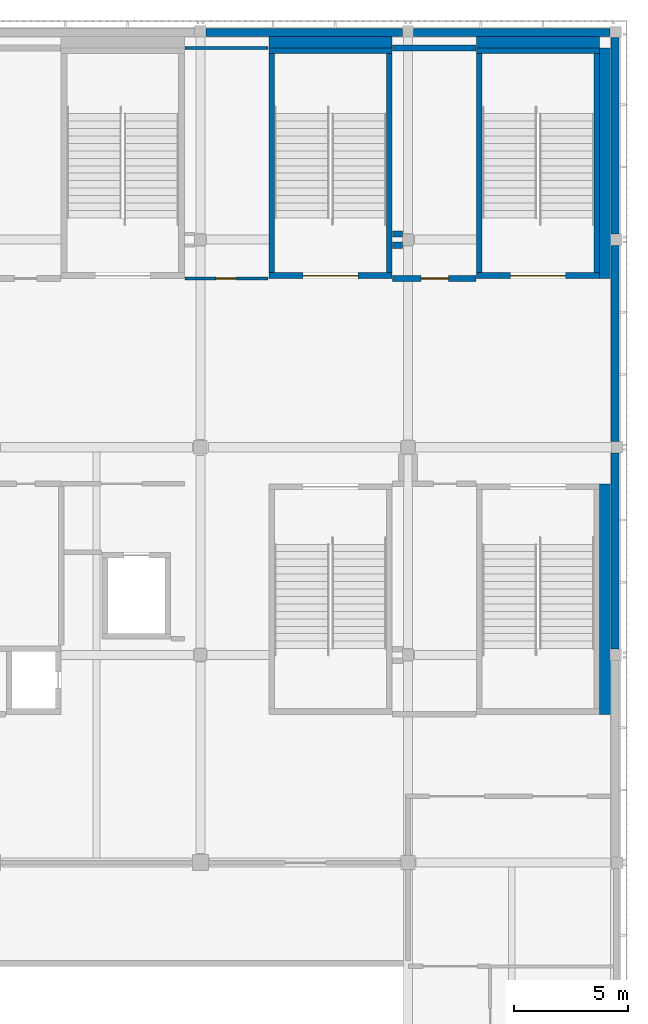
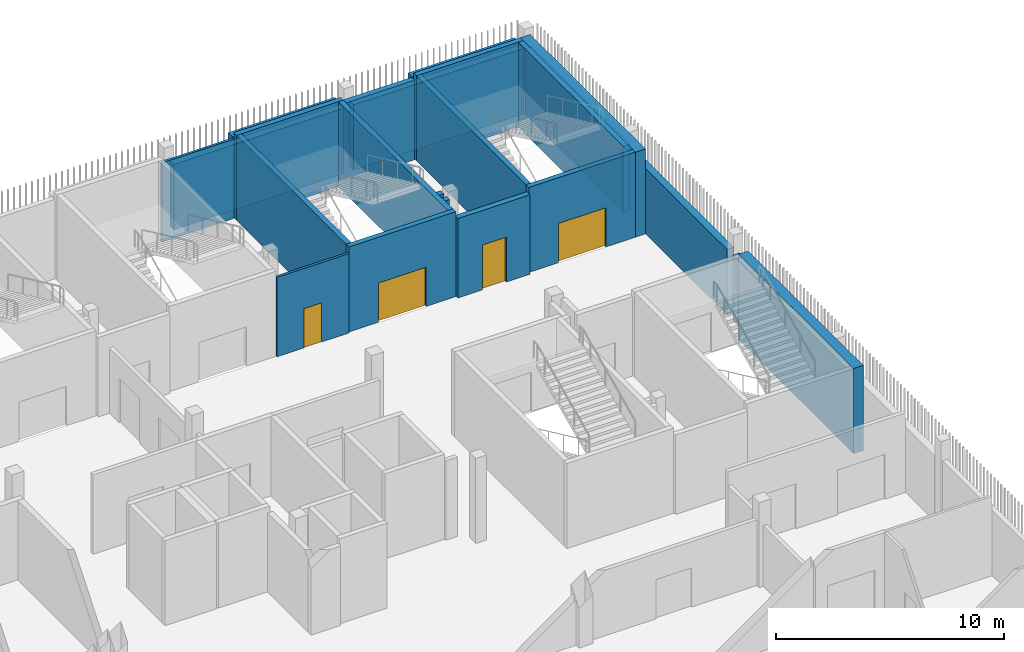
# One storey, part 82 of 124: 23 walls, 4 doors, 4 openings.
"""IFC4 building model written with IfcOpenShell, lengths in metres."""

from ifc_helpers import new_model, si_unit, direction, frame, frame_2d, origin, place, context, subcontext, project, spatial, rectangle, extrude, material, layer, layer_set, type_object, element, fill, save


model = new_model("IFC4")

# Units and contexts
model_context = context("Model", 3, precision=1e-05, world=origin(), true_north=direction((0.0, 1.0)))
body_context = subcontext(model_context, "Body", "Model", "MODEL_VIEW")
ifc_project = project(units=[si_unit("LENGTHUNIT", "METRE"), si_unit("AREAUNIT", "SQUARE_METRE"), si_unit("VOLUMEUNIT", "CUBIC_METRE"), si_unit("PLANEANGLEUNIT", "RADIAN"), si_unit("MASSUNIT", "GRAM", prefix="KILO")], contexts=[model_context])

# Site, building, storey
site_placement = place(None, origin())
site = spatial("IfcSite", under=ifc_project, at=site_placement, CompositionType="ELEMENT")
building_placement = place(site_placement, origin())
building = spatial("IfcBuilding", under=site, at=building_placement, Name="Shirokan Park Arena", CompositionType="ELEMENT")
storey_placement = place(building_placement, frame((0.0, 0.0, 20.02001953125)))
storey = spatial("IfcBuildingStorey", under=building, at=storey_placement, Name="L04", CompositionType="ELEMENT", Elevation=20.02001953125)

# Walls
ifc_material_1 = material(Name="Cedar cladding")
ifc_layer_1 = layer(ifc_material_1, 0.030029296875, Name="Cedar cladding")
ifc_material_2 = material(Name="Mineral wool insulation")
ifc_layer_2 = layer(ifc_material_2, 0.10009765625, Name="Mineral wool insulation")
ifc_material_3 = material(Name="Concrete C35", Category="concrete")
ifc_layer_3 = layer(ifc_material_3, 0.199951171875, Name="Concrete C35")
ifc_material_4 = material(Name="Gypsum board lining")
ifc_layer_4 = layer(ifc_material_4, 0.02001953125, Name="Gypsum board lining")
ifc_layer_set_1 = layer_set([ifc_layer_1, ifc_layer_2, ifc_layer_3, ifc_layer_4], Name="Cedar cladding + Mineral wool insulation + Concrete C35 + Gypsum board lining")
wall_type_1 = type_object("IfcWallType", Name="Insulated tower wall 350", PredefinedType="SOLIDWALL", material=ifc_layer_set_1)
for number, where, z_axis, x_axis, name in (
    (1, (145.574951171875, 82.14990234375, 0.0), (0.0, 0.0, 1.0), (0.0, 1.0, 0.0), "East facade wall bay 10 L04"),
    (2, (145.574951171875, 91.25, 0.0), (0.0, 0.0, 1.0), (0.0, 1.0, 0.0), "East facade wall bay 11 L04"),
):
    element("IfcWall", number, at=place(storey_placement, frame(where, z_axis=z_axis, x_axis=x_axis)), inside=storey, type_object=wall_type_1, Name=name, PredefinedType="SOLIDWALL", context=body_context, shape_type="SweptSolid", body=[
        extrude(rectangle(XDim=8.60009765625, YDim=0.35009765625, at=frame_2d((4.300048828125, 0.0))), origin(), (0.0, 0.0, 1.0), 3.5),
    ])
wall_1_placement = place(storey_placement, frame((145.574951171875, 100.35009765625, 0.0), z_axis=(0.0, 0.0, 1.0), x_axis=(0.0, 1.0, 0.0)))
element("IfcWall", 3, at=wall_1_placement, inside=storey, type_object=wall_type_1, Name="East facade wall bay 12 L04", PredefinedType="SOLIDWALL", context=body_context, shape_type="SweptSolid", body=[
    extrude(rectangle(XDim=8.599853515625, YDim=0.35009765625, at=frame_2d((4.2998046875, 0.0))), origin(), (0.0, 0.0, 1.0), 3.5),
])
for number, where, z_axis, x_axis, name in (
    (4, (145.35009765625, 109.175048828125, 0.0), (0.0, 0.0, 1.0), (-1.0, 0.0, 0.0), "North facade wall bay 1 L04"),
    (5, (136.25, 109.175048828125, 0.0), (0.0, 0.0, 1.0), (-1.0, 0.0, 0.0), "North facade wall bay 2 L04"),
):
    element("IfcWall", number, at=place(storey_placement, frame(where, z_axis=z_axis, x_axis=x_axis)), inside=storey, type_object=wall_type_1, Name=name, PredefinedType="SOLIDWALL", context=body_context, shape_type="SweptSolid", body=[
        extrude(rectangle(XDim=8.60009765625, YDim=0.35009765625, at=frame_2d((4.300048828125, 0.0))), origin(), (0.0, 0.0, 1.0), 3.5),
    ])

# Wall, opening, door
ifc_material_5 = material(Name="Plaster")
ifc_layer_5 = layer(ifc_material_5, 0.012451171875, Name="Plaster")
ifc_material_6 = material(Name="Concrete blockwork", Category="masonry")
ifc_layer_6 = layer(ifc_material_6, 0.25, Name="Concrete blockwork 250")
ifc_layer_7 = layer(ifc_material_5, 0.012451171875, Name="Plaster")
ifc_layer_set_2 = layer_set([ifc_layer_5, ifc_layer_6, ifc_layer_7], Name="Plaster + Concrete blockwork 250")
wall_type_2 = type_object("IfcWallType", Name="Plant room wall 275", PredefinedType="SOLIDWALL", material=ifc_layer_set_2)
wall_2_placement = place(storey_placement, frame((135.830078125, 98.39990234375, 0.0), z_axis=(0.0, 0.0, 1.0), x_axis=(1.0, 0.0, 0.0)))
wall_2 = element("IfcWall", 6, at=wall_2_placement, inside=storey, type_object=wall_type_2, Name="Plant room wall 275 L04", PredefinedType="SOLIDWALL", context=body_context, shape_type="SweptSolid", body=[
    extrude(rectangle(XDim=3.639892578125, YDim=0.27490234375, at=frame_2d((1.81982421875, 0.0))), origin(), (0.0, 0.0, 1.0), 4.25),
])
opening_1_placement = place(wall_2_placement, frame((1.25, 0.0, 0.0)))
opening_1 = element("IfcOpeningElement", 7, at=opening_1_placement, cuts=wall_2, Name="Opening D-4027", PredefinedType="OPENING", context=body_context, shape_type="SweptSolid", body=[
    extrude(rectangle(XDim=1.199951171875, YDim=2.39990234375, at=frame_2d((0.60009765625, 1.199951171875))), frame((0.0, 0.1474609375, 0.0), z_axis=(0.0, -1.0, 0.0), x_axis=(1.0, 0.0, 0.0)), (0.0, 0.0, 1.0), 0.294921875),
])
ifc_material_7 = material(Name="Louvred steel door set, fire resisting", Category="steel")
door_type_1 = type_object("IfcDoorType", Name="Plant room door 1200 x 2400", OperationType="SINGLE_SWING_LEFT", PredefinedType="DOOR", material=ifc_material_7)
door_1_placement = place(opening_1_placement, origin())
door_1 = element("IfcDoor", 8, at=door_1_placement, inside=storey, type_object=door_type_1, Name="Door to Communications Room 4.30 D-4027", OperationType="SINGLE_SWING_LEFT", OverallHeight=2.39990234375, OverallWidth=1.199951171875, PredefinedType="DOOR", context=body_context, shape_type="SweptSolid", body=[
    extrude(rectangle(XDim=1.199951171875, YDim=2.39990234375, at=frame_2d((0.60009765625, 1.199951171875))), frame((0.0, 0.02490234375, 0.0), z_axis=(0.0, -1.0, 0.0), x_axis=(1.0, 0.0, 0.0)), (0.0, 0.0, 1.0), 0.050048828125),
])
fill(opening_1, door_1)

# Walls
wall_3_placement = place(storey_placement, frame((135.830078125, 99.85009765625, 0.0), z_axis=(0.0, 0.0, 1.0), x_axis=(1.0, 0.0, 0.0)))
element("IfcWall", 9, at=wall_3_placement, inside=storey, type_object=wall_type_2, Name="Plant room wall 275 L04", PredefinedType="SOLIDWALL", context=body_context, shape_type="SweptSolid", body=[
    extrude(rectangle(XDim=0.419921875, YDim=0.27490234375, at=frame_2d((0.2099609375, 0.0))), origin(), (0.0, 0.0, 1.0), 4.25),
])
wall_4_placement = place(storey_placement, frame((135.830078125, 108.5, 0.0), z_axis=(0.0, 0.0, 1.0), x_axis=(1.0, 0.0, 0.0)))
element("IfcWall", 10, at=wall_4_placement, inside=storey, type_object=wall_type_2, Name="Plant room wall 275 L04", PredefinedType="SOLIDWALL", context=body_context, shape_type="SweptSolid", body=[
    extrude(rectangle(XDim=3.639892578125, YDim=0.27490234375, at=frame_2d((1.81982421875, 0.0))), origin(), (0.0, 0.0, 1.0), 4.25),
])
wall_5_placement = place(storey_placement, frame((136.25, 100.35009765625, 0.0), z_axis=(0.0, 0.0, 1.0), x_axis=(-1.0, 0.0, 0.0)))
element("IfcWall", 11, at=wall_5_placement, inside=storey, type_object=wall_type_2, Name="Plant room wall 275 L04", PredefinedType="SOLIDWALL", context=body_context, shape_type="SweptSolid", body=[
    extrude(rectangle(XDim=0.419921875, YDim=0.27490234375, at=frame_2d((0.2099609375, 0.0))), origin(), (0.0, 0.0, 1.0), 4.25),
])

# Wall, opening, door
ifc_material_8 = material(Name="Concrete C40/50", Category="concrete")
ifc_layer_8 = layer(ifc_material_8, 0.25)
ifc_layer_set_3 = layer_set([ifc_layer_8], Name="Concrete C40/50 250 mm")
wall_type_3 = type_object("IfcWallType", Name="RC shear wall 250", PredefinedType="SHEAR", material=ifc_layer_set_3)
wall_6_placement = place(storey_placement, frame((144.89990234375, 98.52490234375, 0.0), z_axis=(0.0, 0.0, 1.0), x_axis=(-1.0, 0.0, 0.0)))
wall_6 = element("IfcWall", 12, at=wall_6_placement, inside=storey, type_object=wall_type_3, Name="Shaft wall Exit Stair 3.A S L04", PredefinedType="SHEAR", context=body_context, shape_type="SweptSolid", body=[
    extrude(rectangle(XDim=5.39990234375, YDim=0.25, at=frame_2d((2.699951171875, 0.0))), origin(), (0.0, 0.0, 1.0), 4.550048828125),
])
opening_2_placement = place(wall_6_placement, frame((1.5, 0.0, 0.0)))
opening_2 = element("IfcOpeningElement", 13, at=opening_2_placement, cuts=wall_6, Name="Opening D-4142", PredefinedType="OPENING", context=body_context, shape_type="SweptSolid", body=[
    extrude(rectangle(XDim=2.39990234375, YDim=2.10009765625, at=frame_2d((1.199951171875, 1.050048828125))), frame((0.0, 0.135009765625, 0.0), z_axis=(0.0, -1.0, 0.0), x_axis=(1.0, 0.0, 0.0)), (0.0, 0.0, 1.0), 0.27001953125),
])
ifc_material_9 = material(Name="Steel door set, fire resisting", Category="steel")
door_type_2 = type_object("IfcDoorType", Name="Stair door 2400 x 2100", OperationType="DOUBLE_DOOR_SINGLE_SWING", PredefinedType="DOOR", material=ifc_material_9)
door_2_placement = place(opening_2_placement, origin())
door_2 = element("IfcDoor", 14, at=door_2_placement, inside=storey, type_object=door_type_2, Name="Stair door Exit Stair 3.A D-4142", OperationType="DOUBLE_DOOR_SINGLE_SWING", OverallHeight=2.10009765625, OverallWidth=2.39990234375, PredefinedType="DOOR", context=body_context, shape_type="SweptSolid", body=[
    extrude(rectangle(XDim=2.39990234375, YDim=2.10009765625, at=frame_2d((1.199951171875, 1.050048828125))), frame((0.0, 0.02490234375, 0.0), z_axis=(0.0, -1.0, 0.0), x_axis=(1.0, 0.0, 0.0)), (0.0, 0.0, 1.0), 0.050048828125),
])
fill(opening_2, door_2)

# Walls
wall_7_placement = place(storey_placement, frame((144.89990234375, 108.375, 0.0), z_axis=(0.0, 0.0, 1.0), x_axis=(-1.0, 0.0, 0.0)))
element("IfcWall", 15, at=wall_7_placement, inside=storey, type_object=wall_type_3, Name="Shaft wall Exit Stair 3.A N L04", PredefinedType="SHEAR", context=body_context, shape_type="SweptSolid", body=[
    extrude(rectangle(XDim=5.39990234375, YDim=0.25, at=frame_2d((2.699951171875, 0.0))), origin(), (0.0, 0.0, 1.0), 4.550048828125),
])
for number, where, z_axis, x_axis, name in (
    (16, (139.625, 108.25, 0.0), (0.0, 0.0, 1.0), (0.0, -1.0, 0.0), "Shaft wall Exit Stair 3.A W L04"),
    (17, (144.77490234375, 108.25, 0.0), (0.0, 0.0, 1.0), (0.0, -1.0, 0.0), "Shaft wall Exit Stair 3.A E L04"),
):
    element("IfcWall", number, at=place(storey_placement, frame(where, z_axis=z_axis, x_axis=x_axis)), inside=storey, type_object=wall_type_3, Name=name, PredefinedType="SHEAR", context=body_context, shape_type="SweptSolid", body=[
        extrude(rectangle(XDim=9.60009765625, YDim=0.25, at=frame_2d((4.800048828125, 0.0))), origin(), (0.0, 0.0, 1.0), 4.550048828125),
    ])

# Wall, opening, door
wall_8_placement = place(storey_placement, frame((135.800048828125, 98.52490234375, 0.0), z_axis=(0.0, 0.0, 1.0), x_axis=(-1.0, 0.0, 0.0)))
wall_8 = element("IfcWall", 18, at=wall_8_placement, inside=storey, type_object=wall_type_3, Name="Shaft wall Exit Stair 3.B S L04", PredefinedType="SHEAR", context=body_context, shape_type="SweptSolid", body=[
    extrude(rectangle(XDim=5.400146484375, YDim=0.25, at=frame_2d((2.7001953125, 0.0))), origin(), (0.0, 0.0, 1.0), 4.550048828125),
])
opening_3_placement = place(wall_8_placement, frame((1.5, 0.0, 0.0)))
opening_3 = element("IfcOpeningElement", 19, at=opening_3_placement, cuts=wall_8, Name="Opening D-4143", PredefinedType="OPENING", context=body_context, shape_type="SweptSolid", body=[
    extrude(rectangle(XDim=2.39990234375, YDim=2.10009765625, at=frame_2d((1.199951171875, 1.050048828125))), frame((0.0, 0.135009765625, 0.0), z_axis=(0.0, -1.0, 0.0), x_axis=(1.0, 0.0, 0.0)), (0.0, 0.0, 1.0), 0.27001953125),
])
door_3_placement = place(opening_3_placement, origin())
door_3 = element("IfcDoor", 20, at=door_3_placement, inside=storey, type_object=door_type_2, Name="Stair door Exit Stair 3.B D-4143", OperationType="DOUBLE_DOOR_SINGLE_SWING", OverallHeight=2.10009765625, OverallWidth=2.39990234375, PredefinedType="DOOR", context=body_context, shape_type="SweptSolid", body=[
    extrude(rectangle(XDim=2.39990234375, YDim=2.10009765625, at=frame_2d((1.199951171875, 1.050048828125))), frame((0.0, 0.02490234375, 0.0), z_axis=(0.0, -1.0, 0.0), x_axis=(1.0, 0.0, 0.0)), (0.0, 0.0, 1.0), 0.050048828125),
])
fill(opening_3, door_3)

# Walls
wall_9_placement = place(storey_placement, frame((135.800048828125, 108.375, 0.0), z_axis=(0.0, 0.0, 1.0), x_axis=(-1.0, 0.0, 0.0)))
element("IfcWall", 21, at=wall_9_placement, inside=storey, type_object=wall_type_3, Name="Shaft wall Exit Stair 3.B N L04", PredefinedType="SHEAR", context=body_context, shape_type="SweptSolid", body=[
    extrude(rectangle(XDim=5.400146484375, YDim=0.25, at=frame_2d((2.7001953125, 0.0))), origin(), (0.0, 0.0, 1.0), 4.550048828125),
])
for number, where, z_axis, x_axis, name in (
    (22, (130.52490234375, 108.25, 0.0), (0.0, 0.0, 1.0), (0.0, -1.0, 0.0), "Shaft wall Exit Stair 3.B W L04"),
    (23, (135.675048828125, 108.25, 0.0), (0.0, 0.0, 1.0), (0.0, -1.0, 0.0), "Shaft wall Exit Stair 3.B E L04"),
):
    element("IfcWall", number, at=place(storey_placement, frame(where, z_axis=z_axis, x_axis=x_axis)), inside=storey, type_object=wall_type_3, Name=name, PredefinedType="SHEAR", context=body_context, shape_type="SweptSolid", body=[
        extrude(rectangle(XDim=9.60009765625, YDim=0.25, at=frame_2d((4.800048828125, 0.0))), origin(), (0.0, 0.0, 1.0), 4.550048828125),
    ])
ifc_layer_9 = layer(ifc_material_3, 0.5)
ifc_layer_set_4 = layer_set([ifc_layer_9], Name="Concrete C35 500 mm")
wall_type_4 = type_object("IfcWallType", Name="Shaft infill wall 500", PredefinedType="SOLIDWALL", material=ifc_layer_set_4)
wall_10_placement = place(storey_placement, frame((139.5, 108.75, 0.0), z_axis=(0.0, 0.0, 1.0), x_axis=(1.0, 0.0, 0.0)))
element("IfcWall", 24, at=wall_10_placement, inside=storey, type_object=wall_type_4, Name="Shaft infill wall L04", PredefinedType="SOLIDWALL", context=body_context, shape_type="SweptSolid", body=[
    extrude(rectangle(XDim=5.39990234375, YDim=0.5, at=frame_2d((2.699951171875, 0.0))), origin(), (0.0, 0.0, 1.0), 4.25),
])
wall_11_placement = place(storey_placement, frame((145.14990234375, 98.39990234375, 0.0), z_axis=(0.0, 0.0, 1.0), x_axis=(0.0, 1.0, 0.0)))
element("IfcWall", 25, at=wall_11_placement, inside=storey, type_object=wall_type_4, Name="Shaft infill wall L04", PredefinedType="SOLIDWALL", context=body_context, shape_type="SweptSolid", body=[
    extrude(rectangle(XDim=10.10009765625, YDim=0.5, at=frame_2d((5.050048828125, 0.0))), origin(), (0.0, 0.0, 1.0), 4.550048828125),
])
wall_12_placement = place(storey_placement, frame((130.39990234375, 108.75, 0.0), z_axis=(0.0, 0.0, 1.0), x_axis=(1.0, 0.0, 0.0)))
element("IfcWall", 26, at=wall_12_placement, inside=storey, type_object=wall_type_4, Name="Shaft infill wall L04", PredefinedType="SOLIDWALL", context=body_context, shape_type="SweptSolid", body=[
    extrude(rectangle(XDim=5.400146484375, YDim=0.5, at=frame_2d((2.7001953125, 0.0))), origin(), (0.0, 0.0, 1.0), 4.25),
])
wall_13_placement = place(storey_placement, frame((145.14990234375, 79.300048828125, 0.0), z_axis=(0.0, 0.0, 1.0), x_axis=(0.0, 1.0, 0.0)))
element("IfcWall", 27, at=wall_13_placement, inside=storey, type_object=wall_type_4, Name="Shaft infill wall L04", PredefinedType="SOLIDWALL", context=body_context, shape_type="SweptSolid", body=[
    extrude(rectangle(XDim=10.099853515625, YDim=0.5, at=frame_2d((5.0498046875, 0.0))), origin(), (0.0, 0.0, 1.0), 4.550048828125),
])

# Wall, opening, door
ifc_material_10 = material(Name="Ceramic tile")
ifc_layer_10 = layer(ifc_material_10, 0.010009765625, Name="Ceramic tile")
ifc_material_11 = material(Name="Cement board")
ifc_layer_11 = layer(ifc_material_11, 0.012451171875, Name="Cement board")
ifc_layer_12 = layer(ifc_material_2, 0.080078125, Name="Mineral wool insulation")
ifc_layer_13 = layer(ifc_material_11, 0.012451171875, Name="Cement board")
ifc_layer_14 = layer(ifc_material_10, 0.010009765625, Name="Ceramic tile")
ifc_layer_set_5 = layer_set([ifc_layer_10, ifc_layer_11, ifc_layer_12, ifc_layer_13, ifc_layer_14], Name="Ceramic tile + Cement board + Mineral wool insulation")
wall_type_5 = type_object("IfcWallType", Name="Wet-area wall 125", PredefinedType="PARTITIONING", material=ifc_layer_set_5)
wall_14_placement = place(storey_placement, frame((126.72998046875, 98.39990234375, 0.0), z_axis=(0.0, 0.0, 1.0), x_axis=(1.0, 0.0, 0.0)))
wall_14 = element("IfcWall", 28, at=wall_14_placement, inside=storey, type_object=wall_type_5, Name="Wet-area wall 125 L04", PredefinedType="PARTITIONING", context=body_context, shape_type="SweptSolid", body=[
    extrude(rectangle(XDim=3.64013671875, YDim=0.125, at=frame_2d((1.820068359375, 0.0))), origin(), (0.0, 0.0, 1.0), 4.25),
])
opening_4_placement = place(wall_14_placement, frame((1.35009765625, 0.0, 0.0)))
opening_4 = element("IfcOpeningElement", 29, at=opening_4_placement, cuts=wall_14, Name="Opening D-4028", PredefinedType="OPENING", context=body_context, shape_type="SweptSolid", body=[
    extrude(rectangle(XDim=0.89990234375, YDim=2.10009765625, at=frame_2d((0.449951171875, 1.050048828125))), frame((0.0, 0.072509765625, 0.0), z_axis=(0.0, -1.0, 0.0), x_axis=(1.0, 0.0, 0.0)), (0.0, 0.0, 1.0), 0.14501953125),
])
ifc_material_12 = material(Name="Timber door set, fire resisting", Category="wood")
door_type_3 = type_object("IfcDoorType", Name="Door 900 x 2100", OperationType="SINGLE_SWING_LEFT", PredefinedType="DOOR", material=ifc_material_12)
door_4_placement = place(opening_4_placement, origin())
door_4 = element("IfcDoor", 30, at=door_4_placement, inside=storey, type_object=door_type_3, Name="Door to Staff WC 4.31 D-4028", OperationType="SINGLE_SWING_RIGHT", OverallHeight=2.10009765625, OverallWidth=0.89990234375, PredefinedType="DOOR", context=body_context, shape_type="SweptSolid", body=[
    extrude(rectangle(XDim=0.89990234375, YDim=2.10009765625, at=frame_2d((0.449951171875, 1.050048828125))), frame((0.0, 0.02490234375, 0.0), z_axis=(0.0, -1.0, 0.0), x_axis=(1.0, 0.0, 0.0)), (0.0, 0.0, 1.0), 0.050048828125),
])
fill(opening_4, door_4)

# Wall
wall_15_placement = place(storey_placement, frame((126.72998046875, 108.5, 0.0), z_axis=(0.0, 0.0, 1.0), x_axis=(1.0, 0.0, 0.0)))
element("IfcWall", 31, at=wall_15_placement, inside=storey, type_object=wall_type_5, Name="Wet-area wall 125 L04", PredefinedType="PARTITIONING", context=body_context, shape_type="SweptSolid", body=[
    extrude(rectangle(XDim=3.64013671875, YDim=0.125, at=frame_2d((1.820068359375, 0.0))), origin(), (0.0, 0.0, 1.0), 4.25),
])

save(model, "model.ifc")
